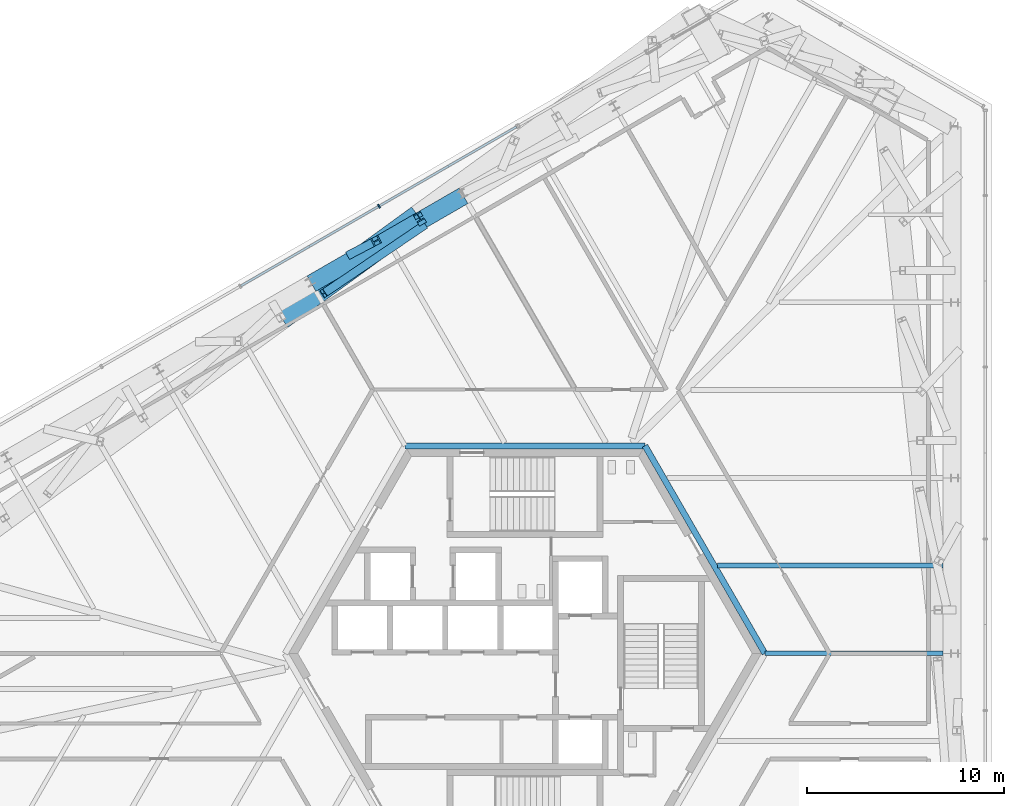
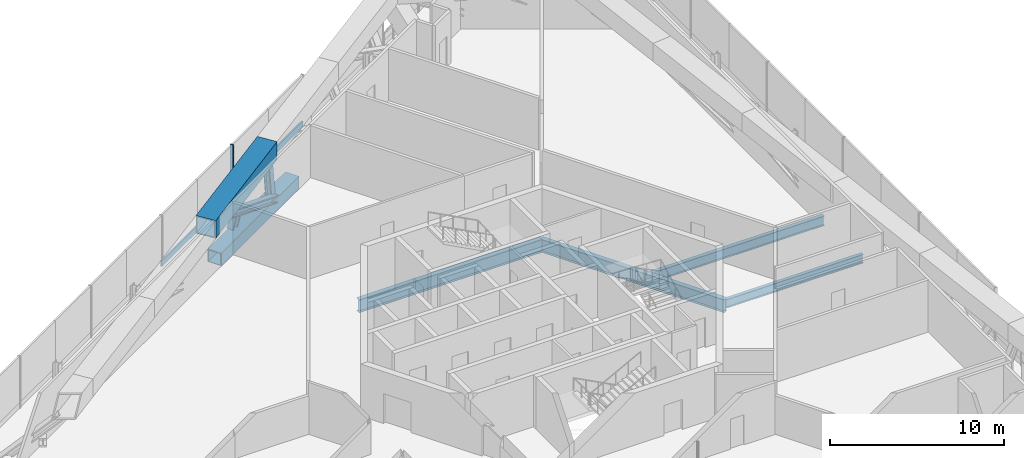
# One storey, part 6 of 23: 8 members, 4 beams, 1 element without a shape of its own.
"""IFC4 building model written with IfcOpenShell, lengths in metres."""

from ifc_helpers import new_model, si_unit, direction, frame, origin, origin_2d, place, context, subcontext, project, spatial, rectangle, hollow_rectangle, i_section, extrude, source, transform, mapped, material, material_profile, profile_set, type_object, element, aggregate, save


model = new_model("IFC4")

# Units and contexts
model_context = context("Model", 3, precision=1e-05, world=origin(), true_north=direction((0.0, 1.0)))
body_context = subcontext(model_context, "Body", "Model", "MODEL_VIEW")
ifc_project = project(units=[si_unit("LENGTHUNIT", "METRE"), si_unit("AREAUNIT", "SQUARE_METRE"), si_unit("VOLUMEUNIT", "CUBIC_METRE"), si_unit("PLANEANGLEUNIT", "RADIAN"), si_unit("MASSUNIT", "GRAM", prefix="KILO")], contexts=[model_context])

# Site, building, storey
site_placement = place(None, origin())
site = spatial("IfcSite", under=ifc_project, at=site_placement, CompositionType="ELEMENT")
building_placement = place(site_placement, origin())
building = spatial("IfcBuilding", under=site, at=building_placement, Name="Triune Harvest Tower", CompositionType="ELEMENT")
storey_placement = place(building_placement, frame((0.0, 0.0, 54.699951171875)))
storey = spatial("IfcBuildingStorey", under=building, at=storey_placement, Name="L12", CompositionType="ELEMENT", Elevation=54.699951171875)

# Member
ifc_material_1 = material(Name="Steel ASTM A992 Gr 50", Category="steel")
ifc_material_profile_1 = material_profile(ifc_material_1, i_section(OverallWidth=0.424072265625, OverallDepth=0.47509765625, WebThickness=0.0478515625, FlangeThickness=0.0771484375, at=origin_2d()), Name="W14x426")
ifc_profile_set_1 = profile_set([ifc_material_profile_1], Name="Steel ASTM A992 Gr 50")
member_type_1 = type_object("IfcMemberType", Name="TD-1 Belt truss diagonal W14x426", PredefinedType="BRACE", material=ifc_profile_set_1)
member_1_placement = place(storey_placement, frame((-5.138671875, 21.72021484375, -0.324951171875), z_axis=(-0.755647381069, -0.511961527774, 0.408524698841), x_axis=(0.5609017383, -0.827882382933, 0.0)))
element("IfcMember", 1, at=member_1_placement, inside=storey, type_object=member_type_1, Name="truss/L12/TD21", PredefinedType="BRACE", context=body_context, shape_type="SweptSolid", body=[
    extrude(i_section(OverallWidth=0.424072265625, OverallDepth=0.47509765625, WebThickness=0.0478515625, FlangeThickness=0.0771484375, at=origin_2d()), origin(), (0.0, 0.0, 1.0), 6.7314453125),
])

# Beams
ifc_material_2 = material(Name="Steel ASTM A992 Gr 50", Category="steel")
ifc_material_profile_2 = material_profile(ifc_material_2, i_section(OverallWidth=0.3046875, OverallDepth=0.914306640625, WebThickness=0.0166015625, FlangeThickness=0.02587890625, at=origin_2d()), Name="W36x160")
ifc_profile_set_2 = profile_set([ifc_material_profile_2], Name="Steel ASTM A992 Gr 50")
beam_type_1 = type_object("IfcBeamType", Name="CG-1 Core ring girder W36x160", PredefinedType="BEAM", material=ifc_profile_set_2)
shared_shape_1 = source(origin(), body_context, "Body", "SweptSolid", [
    extrude(i_section(OverallWidth=0.3046875, OverallDepth=0.914306640625, WebThickness=0.0166015625, FlangeThickness=0.02587890625, at=origin_2d()), origin(), (0.0, 0.0, 1.0), 12.176025390625),
])
beam_1_placement = place(storey_placement, frame((12.176025390625, 0.0, -0.70703125), z_axis=(-0.5000099932, 0.866019634131, 0.0), x_axis=(-0.866019634131, -0.5000099932, 0.0)))
element("IfcBeam", 2, at=beam_1_placement, inside=storey, type_object=beam_type_1, Name="beam/L12/CG1", PredefinedType="BEAM", context=body_context, shape_type="MappedRepresentation", body=[
    mapped(shared_shape_1, transform((0.0, 0.0, 0.0), scale=1.0)),
])
shared_shape_2 = source(origin(), body_context, "Body", "SweptSolid", [
    extrude(i_section(OverallWidth=0.3046875, OverallDepth=0.914306640625, WebThickness=0.0166015625, FlangeThickness=0.02587890625, at=origin_2d()), origin(), (0.0, 0.0, 1.0), 12.17578125),
])
beam_2_placement = place(storey_placement, frame((6.087890625, 10.544677734375, -0.70703125), z_axis=(-1.0, 0.0, 0.0), x_axis=(0.0, -1.0, 0.0)))
element("IfcBeam", 3, at=beam_2_placement, inside=storey, type_object=beam_type_1, Name="beam/L12/CG2", PredefinedType="BEAM", context=body_context, shape_type="MappedRepresentation", body=[
    mapped(shared_shape_2, transform((0.0, 0.0, 0.0), scale=1.0)),
])
ifc_material_3 = material(Name="Steel ASTM A992 Gr 50", Category="steel")
ifc_material_profile_3 = material_profile(ifc_material_3, i_section(OverallWidth=0.253662109375, OverallDepth=0.683349609375, WebThickness=0.012451171875, FlangeThickness=0.01904296875, at=origin_2d()), Name="W27x94")
ifc_profile_set_3 = profile_set([ifc_material_profile_3], Name="Steel ASTM A992 Gr 50")
beam_type_2 = type_object("IfcBeamType", Name="JT-4 Floor joist W27x94", PredefinedType="JOIST", material=ifc_profile_set_3)
shared_shape_3 = source(origin(), body_context, "Body", "SweptSolid", [
    extrude(i_section(OverallWidth=0.253662109375, OverallDepth=0.683349609375, WebThickness=0.012451171875, FlangeThickness=0.01904296875, at=origin_2d()), origin(), (0.0, 0.0, 1.0), 11.44970703125),
])
beam_3_placement = place(storey_placement, frame((21.2294921875, 4.455078125, -0.591552734375), z_axis=(-1.0, 0.0, 0.0), x_axis=(0.0, -1.0, 0.0)))
element("IfcBeam", 4, at=beam_3_placement, inside=storey, type_object=beam_type_2, Name="beam/L12/JT7", PredefinedType="JOIST", context=body_context, shape_type="MappedRepresentation", body=[
    mapped(shared_shape_3, transform((0.0, 0.0, 0.0), scale=1.0)),
])
ifc_material_4 = material(Name="Steel ASTM A992 Gr 50", Category="steel")
ifc_material_profile_4 = material_profile(ifc_material_4, i_section(OverallWidth=0.22900390625, OverallDepth=0.612060546875, WebThickness=0.011962890625, FlangeThickness=0.01953125, at=origin_2d()), Name="W24x84")
ifc_profile_set_4 = profile_set([ifc_material_profile_4], Name="Steel ASTM A992 Gr 50")
beam_type_3 = type_object("IfcBeamType", Name="JT-3 Floor joist W24x84", PredefinedType="JOIST", material=ifc_profile_set_4)
shared_shape_4 = source(origin(), body_context, "Body", "SweptSolid", [
    extrude(i_section(OverallWidth=0.22900390625, OverallDepth=0.612060546875, WebThickness=0.011962890625, FlangeThickness=0.01953125, at=origin_2d()), origin(), (0.0, 0.0, 1.0), 9.053466796875),
])
beam_4_placement = place(storey_placement, frame((21.2294921875, 0.0, -0.55615234375), z_axis=(-1.0, 0.0, 0.0), x_axis=(0.0, -1.0, 0.0)))
element("IfcBeam", 5, at=beam_4_placement, inside=storey, type_object=beam_type_3, Name="beam/L12/JT6", PredefinedType="JOIST", context=body_context, shape_type="MappedRepresentation", body=[
    mapped(shared_shape_4, transform((0.0, 0.0, 0.0), scale=1.0)),
])

# Members
ifc_material_5 = material(Name="Steel ASTM A572 Gr 50", Category="steel")
ifc_material_profile_5 = material_profile(ifc_material_5, hollow_rectangle(XDim=0.89990234375, YDim=0.89990234375, WallThickness=0.050048828125, at=origin_2d()), Name="Box 900x900x50")
ifc_profile_set_5 = profile_set([ifc_material_profile_5], Name="Steel ASTM A572 Gr 50")
member_type_2 = type_object("IfcMemberType", Name="TC-2 Belt truss chord Box 900x900x50", PredefinedType="CHORD", material=ifc_profile_set_5)
shared_shape_5 = source(origin(), body_context, "Body", "SweptSolid", [
    extrude(hollow_rectangle(XDim=0.89990234375, YDim=0.89990234375, WallThickness=0.050048828125, at=origin_2d()), origin(), (0.0, 0.0, 1.0), 8.909912109375),
])
member_2_placement = place(storey_placement, frame((-3.12353515625, 23.22998046875, -0.699951171875), z_axis=(-0.866015380681, -0.500017360122, 0.0), x_axis=(0.500017360122, -0.866015380681, 0.0)))
element("IfcMember", 6, at=member_2_placement, inside=storey, type_object=member_type_2, Name="truss/L12/TCB11", PredefinedType="CHORD", context=body_context, shape_type="MappedRepresentation", body=[
    mapped(shared_shape_5, transform((0.0, 0.0, 0.0), scale=1.0)),
])
ifc_material_6 = material(Name="Steel ASTM A572 Gr 50", Category="steel")
ifc_material_profile_6 = material_profile(ifc_material_6, hollow_rectangle(XDim=1.25, YDim=1.25, WallThickness=0.070068359375, at=origin_2d()), Name="Box 1250x1250x70")
ifc_profile_set_6 = profile_set([ifc_material_profile_6], Name="Steel ASTM A572 Gr 50")
member_type_3 = type_object("IfcMemberType", Name="TC-1 Belt truss chord Box 1250x1250x70", PredefinedType="CHORD", material=ifc_profile_set_6)
shared_shape_6 = source(origin(), body_context, "Body", "SweptSolid", [
    extrude(hollow_rectangle(XDim=1.25, YDim=1.25, WallThickness=0.070068359375, at=origin_2d()), origin(), (0.0, 0.0, 1.0), 8.662353515625),
])
member_3_placement = place(storey_placement, frame((-5.389892578125, 22.15576171875, 3.01513671875), z_axis=(-0.809022399038, -0.58777781334, 0.0), x_axis=(0.58777781334, -0.809022399038, 0.0)))
element("IfcMember", 7, at=member_3_placement, inside=storey, type_object=member_type_3, Name="truss/L12/TCT11", PredefinedType="CHORD", context=body_context, shape_type="MappedRepresentation", body=[
    mapped(shared_shape_6, transform((0.0, 0.0, 0.0), scale=1.0)),
])
ifc_material_7 = material(Name="Steel ASTM A992 Gr 50", Category="steel")
ifc_material_profile_7 = material_profile(ifc_material_7, i_section(OverallWidth=0.411376953125, OverallDepth=0.434326171875, WebThickness=0.035888671875, FlangeThickness=0.057373046875, at=origin_2d()), Name="W14x311")
ifc_profile_set_7 = profile_set([ifc_material_profile_7], Name="Steel ASTM A992 Gr 50")
member_type_4 = type_object("IfcMemberType", Name="TV-1 Belt truss strut W14x311", PredefinedType="STRUT", material=ifc_profile_set_7)
shared_shape_7 = source(origin(), body_context, "Body", "SweptSolid", [
    extrude(i_section(OverallWidth=0.411376953125, OverallDepth=0.434326171875, WebThickness=0.035888671875, FlangeThickness=0.057373046875, at=origin_2d()), origin(), (0.0, 0.0, 1.0), 2.70751953125),
])
member_4_placement = place(storey_placement, frame((-5.28857421875, 21.97998046875, -0.27490234375), z_axis=(-0.03742049066, 0.064922297049, 0.997188448702), x_axis=(-0.866385846139, -0.499375175205, 0.0)))
element("IfcMember", 8, at=member_4_placement, inside=storey, type_object=member_type_4, Name="truss/L12/TS11", PredefinedType="STRUT", context=body_context, shape_type="MappedRepresentation", body=[
    mapped(shared_shape_7, transform((0.0, 0.0, 0.0), scale=1.0)),
])
shared_shape_8 = source(origin(), body_context, "Body", "SweptSolid", [
    extrude(i_section(OverallWidth=0.424072265625, OverallDepth=0.47509765625, WebThickness=0.0478515625, FlangeThickness=0.0771484375, at=origin_2d()), origin(), (0.0, 0.0, 1.0), 3.09716796875),
])
member_5_placement = place(storey_placement, frame((-8.82470703125, 20.284912109375, -0.324951171875), z_axis=(0.407522343195, 0.213535401879, 0.887878466876), x_axis=(-0.464128627361, 0.885767812276, 0.0)))
element("IfcMember", 9, at=member_5_placement, inside=storey, type_object=member_type_1, Name="truss/L12/TD22", PredefinedType="BRACE", context=body_context, shape_type="MappedRepresentation", body=[
    mapped(shared_shape_8, transform((0.0, 0.0, 0.0), scale=1.0)),
])

# Curtain wall, members
ifc_material_8 = material(Name="Aluminium bronze anodised", Category="aluminium")
curtain_wall_type = type_object("IfcCurtainWallType", Name="CW-5 Plant louvre wall", PredefinedType="NOTDEFINED", material=ifc_material_8)
curtain_wall_placement = place(storey_placement, origin())
curtain_wall = element("IfcCurtainWall", 10, at=curtain_wall_placement, inside=storey, type_object=curtain_wall_type, Name="CW-5 B1-F3 L12 run 601")
ifc_material_9 = material(Name="Aluminium bronze anodised", Category="aluminium")
ifc_material_profile_8 = material_profile(ifc_material_9, rectangle(XDim=0.199951171875, YDim=0.080078125, at=origin_2d()), Name="MU-5 mullion 80 x 200")
ifc_profile_set_8 = profile_set([ifc_material_profile_8], Name="Aluminium bronze anodised")
member_type_5 = type_object("IfcMemberType", Name="MU-5 mullion 80 x 200", PredefinedType="MULLION", material=ifc_profile_set_8)
shared_shape_9 = source(origin(), body_context, "Body", "SweptSolid", [
    extrude(rectangle(XDim=0.199951171875, YDim=0.080078125, at=origin_2d()), origin(), (0.0, 0.0, 1.0), 3.64013671875),
])
member_6_placement = place(storey_placement, frame((-7.412841796875, 22.70703125, 0.0), z_axis=(0.0, 0.0, 1.0), x_axis=(0.499999093644, -0.866025927069, 0.0)))
member_6 = element("IfcMember", 11, at=member_6_placement, type_object=member_type_5, Name="CW-5 mullion B1-F3 601.3", PredefinedType="MULLION", context=body_context, shape_type="MappedRepresentation", body=[
    mapped(shared_shape_9, transform((0.0, 0.0, 0.0), scale=1.0)),
])
ifc_material_10 = material(Name="Aluminium bronze anodised", Category="aluminium")
ifc_material_profile_9 = material_profile(ifc_material_10, rectangle(XDim=0.10009765625, YDim=0.39990234375, at=origin_2d()), Name="TR-5 transom 100 x 400")
ifc_profile_set_9 = profile_set([ifc_material_profile_9], Name="Aluminium bronze anodised")
member_type_6 = type_object("IfcMemberType", Name="TR-5 transom 100 x 400", PredefinedType="USERDEFINED", material=ifc_profile_set_9)
shared_shape_10 = source(origin(), body_context, "Body", "SweptSolid", [
    extrude(rectangle(XDim=0.10009765625, YDim=0.39990234375, at=origin_2d()), origin(), (0.0, 0.0, 1.0), 8.017578125),
])
member_7_placement = place(storey_placement, frame((-0.434814453125, 26.73583984375, 0.199951171875), z_axis=(-0.866023315909, -0.500003616288, 0.0), x_axis=(0.500003616288, -0.866023315909, 0.0)))
member_7 = element("IfcMember", 12, at=member_7_placement, type_object=member_type_6, Name="CW-5 transom B1-F3 601.1", ObjectType="TRANSOM", PredefinedType="USERDEFINED", context=body_context, shape_type="MappedRepresentation", body=[
    mapped(shared_shape_10, transform((0.0, 0.0, 0.0), scale=1.0)),
])
shared_shape_11 = source(origin(), body_context, "Body", "SweptSolid", [
    extrude(rectangle(XDim=0.10009765625, YDim=0.39990234375, at=origin_2d()), origin(), (0.0, 0.0, 1.0), 8.057861328125),
])
member_8_placement = place(storey_placement, frame((-7.447509765625, 22.68701171875, 0.199951171875), z_axis=(-0.866030687647, -0.499990847971, 0.0), x_axis=(0.499990847971, -0.866030687647, 0.0)))
member_8 = element("IfcMember", 13, at=member_8_placement, type_object=member_type_6, Name="CW-5 transom B1-F3 601.2", ObjectType="TRANSOM", PredefinedType="USERDEFINED", context=body_context, shape_type="MappedRepresentation", body=[
    mapped(shared_shape_11, transform((0.0, 0.0, 0.0), scale=1.0)),
])
aggregate(curtain_wall, [member_6, member_7, member_8])

save(model, "model.ifc")
